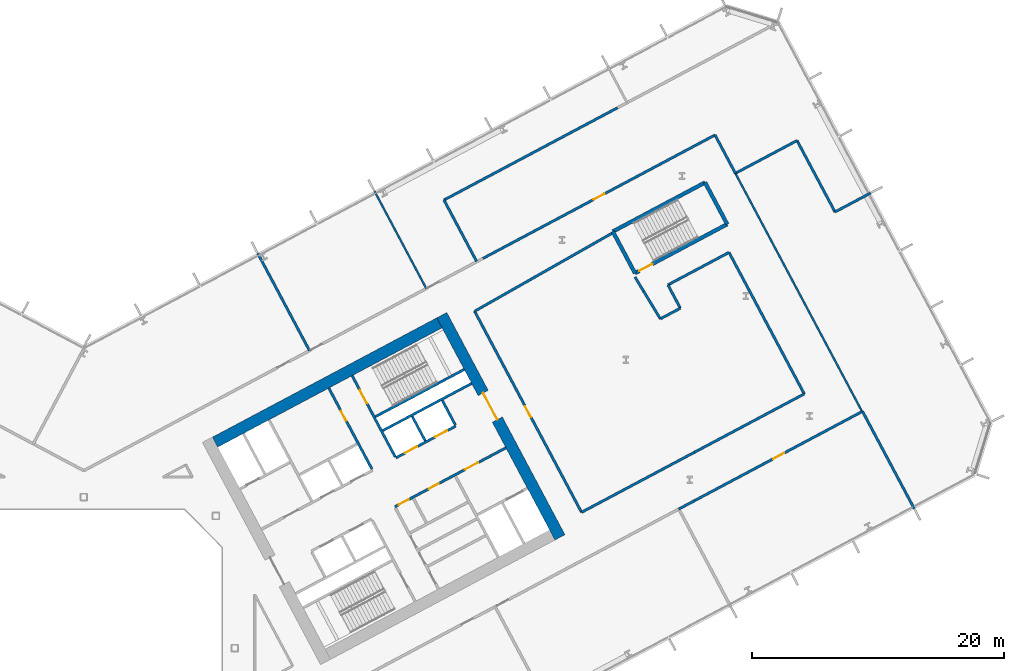
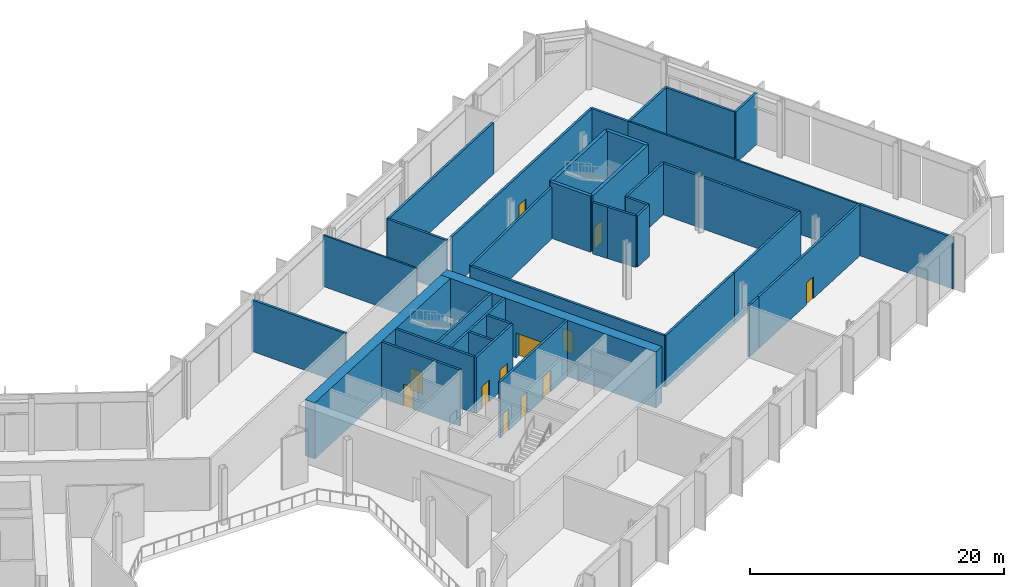
# One storey, part 16 of 30: 37 walls, 12 doors, 12 openings.
"""IFC4 building model written with IfcOpenShell, lengths in metres."""

import ifcopenshell
import ifcopenshell.guid

model = None  # the IFC model being written
_history = None  # IfcOwnerHistory: only IFC2X3 demands one
_inside = {}  # id of a spatial element -> (the spatial element, [elements in it])
_under = {}  # id of a project, library or spatial element -> (it, [spatial elements below it])
_declared = {}  # id of a project -> (the project, [libraries it declares])
_typed = {}  # id of a type object -> (the type object, [elements of that type])
_made_of = {}  # id of a material, layer set ... -> (it, [elements and type objects made of it])


def new_model(schema):
    """Start an empty IFC model of exactly this schema.

    Asked for "IFC4X3", IfcOpenShell would pick the latest addendum, in which some entities
    have other attributes; the version numbers below select the first issue.
    IFC2X3 requires an IfcOwnerHistory on every rooted entity: one is made here for all.
    """
    global model, _history
    if schema == "IFC4X3":
        model = ifcopenshell.file(schema_version=(4, 3, 0, 0))
    else:
        model = ifcopenshell.file(schema=schema)
    _inside.clear()
    _under.clear()
    _declared.clear()
    _typed.clear()
    _made_of.clear()
    _history = None
    if model.schema == "IFC2X3":
        org = make("IfcOrganization", Name="unknown")
        user = make(
            "IfcPersonAndOrganization",
            ThePerson=make("IfcPerson", FamilyName="unknown"),
            TheOrganization=org,
        )
        app = make(
            "IfcApplication",
            ApplicationDeveloper=org,
            Version="unknown",
            ApplicationFullName="unknown",
            ApplicationIdentifier="unknown",
        )
        _history = make(
            "IfcOwnerHistory",
            OwningUser=user,
            OwningApplication=app,
            ChangeAction="ADDED",
            CreationDate=0,
        )
    return model


def make(cls, **values):
    """One entity of the class cls with the attributes given. An attribute that is None is left unset."""
    return model.create_entity(
        cls, **{name: value for name, value in values.items() if value is not None}
    )


def rooted(cls, **values):
    """An entity with a GlobalId (a new one), such as an element, a storey or a relation."""
    return make(cls, GlobalId=ifcopenshell.guid.new(), OwnerHistory=_history, **values)


def si_unit(unit_type, name, prefix=None):
    """IfcSIUnit, for example si_unit("LENGTHUNIT", "METRE", prefix="MILLI")."""
    return make("IfcSIUnit", UnitType=unit_type, Prefix=prefix, Name=name)


def assignment(units):
    """IfcUnitAssignment: the units of a project."""
    return None if units is None else make("IfcUnitAssignment", Units=units)


def point(xyz):
    """IfcCartesianPoint."""
    return None if xyz is None else make("IfcCartesianPoint", Coordinates=xyz)


def direction(xyz):
    """IfcDirection."""
    return None if xyz is None else make("IfcDirection", DirectionRatios=xyz)


def frame(location, z_axis=None, x_axis=None):
    """IfcAxis2Placement3D, a coordinate frame: its origin and axes. An axis left out is left unset."""
    return make(
        "IfcAxis2Placement3D",
        Location=point(location),
        Axis=direction(z_axis),
        RefDirection=direction(x_axis),
    )


def frame_2d(location, x_axis=None):
    """IfcAxis2Placement2D, a coordinate frame in the plane: its origin and x axis."""
    return make(
        "IfcAxis2Placement2D", Location=point(location), RefDirection=direction(x_axis)
    )


def origin():
    """The frame at (0, 0, 0) with its axes left unset."""
    return frame((0.0, 0.0, 0.0))


def place(relative_to, where):
    """IfcLocalPlacement: puts the frame where relative to a parent placement (None: the world)."""
    return make(
        "IfcLocalPlacement", PlacementRelTo=relative_to, RelativePlacement=where
    )


def context(
    kind, dimensions, precision=None, world=None, true_north=None, identifier=None
):
    """IfcGeometricRepresentationContext, for example the 3D "Model" context."""
    return make(
        "IfcGeometricRepresentationContext",
        ContextIdentifier=identifier,
        ContextType=kind,
        CoordinateSpaceDimension=dimensions,
        Precision=precision,
        WorldCoordinateSystem=world,
        TrueNorth=true_north,
    )


def subcontext(parent, identifier, kind, view, scale=None):
    """IfcGeometricRepresentationSubContext, for example "Body" below "Model"."""
    return make(
        "IfcGeometricRepresentationSubContext",
        ContextIdentifier=identifier,
        ContextType=kind,
        ParentContext=parent,
        TargetScale=scale,
        TargetView=view,
    )


def project(units=None, contexts=None):
    """IfcProject with its units and contexts."""
    return rooted(
        "IfcProject",
        Name="project",
        RepresentationContexts=contexts,
        UnitsInContext=assignment(units),
    )


def spatial(cls, under=None, at=None, **own):
    """A site, building, storey or space (cls), placed at a placement, below another one or the project."""
    s = rooted(cls, ObjectPlacement=at, **own)
    if under is not None:
        _under.setdefault(under.id(), (under, []))[1].append(s)
    return s


def profile(cls, at=None, kind="AREA", **sizes):
    """A parametric profile (cls). Its sizes go by their IFC names, for example OverallWidth=200.0."""
    return make(cls, ProfileType=kind, Position=at, **sizes)


def rectangle(**sizes):
    """IfcRectangleProfileDef."""
    return profile("IfcRectangleProfileDef", **sizes)


def extrude(swept, where, along, depth):
    """IfcExtrudedAreaSolid: the profile swept, set in the frame where, extruded along a direction by depth."""
    return make(
        "IfcExtrudedAreaSolid",
        SweptArea=swept,
        Position=where,
        ExtrudedDirection=direction(along),
        Depth=depth,
    )


def shape(context_of_items, identifier, shape_type, items):
    """IfcShapeRepresentation: the items that make up one representation, for example the "Body"."""
    return make(
        "IfcShapeRepresentation",
        ContextOfItems=context_of_items,
        RepresentationIdentifier=identifier,
        RepresentationType=shape_type,
        Items=items,
    )


def material(Name=None, Category=None):
    """IfcMaterial."""
    return make("IfcMaterial", Name=Name, Category=Category)


def layer(
    of_material, thickness, ventilated=None, Name=None, Category=None, Priority=None
):
    """IfcMaterialLayer: one layer of a wall or slab, of a material (None: an air gap)."""
    return make(
        "IfcMaterialLayer",
        Material=of_material,
        LayerThickness=thickness,
        IsVentilated=ventilated,
        Name=Name,
        Category=Category,
        Priority=Priority,
    )


def layer_set(layers, Name=None):
    """IfcMaterialLayerSet."""
    return make("IfcMaterialLayerSet", MaterialLayers=layers, LayerSetName=Name)


def made_of(thing, what):
    """Note that an element or type object is made of a material, layer set ...; save() writes the relation."""
    if what is not None:
        _made_of.setdefault(what.id(), (what, []))[1].append(thing)
    return thing


def type_object(cls, material=None, **own):
    """A type object (cls), such as IfcWallType, which elements share."""
    return made_of(rooted(cls, **own), material)


def element(
    cls,
    number,
    at=None,
    inside=None,
    cuts=None,
    type_object=None,
    material=None,
    context=None,
    identifier="Body",
    shape_type=None,
    held_by="IfcProductDefinitionShape",
    body=None,
    shapes=None,
    **own,
):
    """One element of the class cls, such as IfcWall. Its Tag is "e" and its number.

    at: its placement. inside: the storey or other place that contains it. cuts: it is an
    opening in that element (IfcRelVoidsElement). A single representation is given by context,
    identifier, shape_type and body (its items); several are given by shapes. held_by: the class
    of the entity that holds the representations. save() writes the other relations.
    """
    e = rooted(cls, Tag="e%d" % number, ObjectPlacement=at, **own)
    if body is not None:
        shapes = [shape(context, identifier, shape_type, body)]
    if shapes is not None:
        e.Representation = make(held_by, Representations=shapes)
    if inside is not None:
        _inside.setdefault(inside.id(), (inside, []))[1].append(e)
    if cuts is not None:
        rooted(
            "IfcRelVoidsElement", RelatingBuildingElement=cuts, RelatedOpeningElement=e
        )
    if type_object is not None:
        _typed.setdefault(type_object.id(), (type_object, []))[1].append(e)
    return made_of(e, material)


def fill(opening, filler):
    """IfcRelFillsElement: the door or window that sits in an opening."""
    return rooted(
        "IfcRelFillsElement",
        RelatingOpeningElement=opening,
        RelatedBuildingElement=filler,
    )


def aggregate(whole, parts):
    """IfcRelAggregates: a whole, such as a stair, and the parts it consists of."""
    return rooted("IfcRelAggregates", RelatingObject=whole, RelatedObjects=parts)


def save(model, path):
    """Write the relations noted so far, then the file.

    IfcRelAggregates (storeys below a building ...), IfcRelContainedInSpatialStructure (elements
    in a storey), IfcRelDefinesByType, IfcRelAssociatesMaterial and IfcRelDeclares: one each for
    every whole, place, type object, material and project.
    """
    for whole, parts in _under.values():
        aggregate(whole, parts)
    for where, things in _inside.values():
        rooted(
            "IfcRelContainedInSpatialStructure",
            RelatedElements=things,
            RelatingStructure=where,
        )
    for kind, things in _typed.values():
        rooted("IfcRelDefinesByType", RelatedObjects=things, RelatingType=kind)
    for what, things in _made_of.values():
        rooted("IfcRelAssociatesMaterial", RelatedObjects=things, RelatingMaterial=what)
    for by, libraries in _declared.values():
        rooted("IfcRelDeclares", RelatingContext=by, RelatedDefinitions=libraries)
    model.write(path)


model = new_model("IFC4")

# Units and contexts
model_context = context("Model", 3, precision=1e-05, world=origin(), true_north=direction((0.0, 1.0)))
body_context = subcontext(model_context, "Body", "Model", "MODEL_VIEW")
ifc_project = project(units=[si_unit("LENGTHUNIT", "METRE"), si_unit("AREAUNIT", "SQUARE_METRE"), si_unit("VOLUMEUNIT", "CUBIC_METRE"), si_unit("PLANEANGLEUNIT", "RADIAN"), si_unit("MASSUNIT", "GRAM", prefix="KILO")], contexts=[model_context])

# Site, building, storey
site_placement = place(None, origin())
site = spatial("IfcSite", under=ifc_project, at=site_placement, CompositionType="ELEMENT")
building_placement = place(site_placement, origin())
building = spatial("IfcBuilding", under=site, at=building_placement, Name="Cormorant Relay Tower", CompositionType="ELEMENT")
storey_placement = place(building_placement, frame((0.0, 0.0, 55.39990234375)))
storey = spatial("IfcBuildingStorey", under=building, at=storey_placement, Name="L10", CompositionType="ELEMENT", Elevation=55.39990234375)

# Wall
ifc_material_1 = material(Name="Concrete 40 MPa", Category="concrete")
ifc_layer_1 = layer(ifc_material_1, 0.199951171875)
ifc_layer_set_1 = layer_set([ifc_layer_1], Name="Core internal wall 200")
wall_type_1 = type_object("IfcWallType", Name="Core internal wall 200", PredefinedType="SOLIDWALL", material=ifc_layer_set_1)
wall_1_placement = place(storey_placement, frame((27.144287109375, 16.471435546875, 0.0), z_axis=(0.0, 0.0, 1.0), x_axis=(-0.469401318492, 0.882984938828, 0.0)))
element("IfcWall", 1, at=wall_1_placement, inside=storey, type_object=wall_type_1, Name="L10 core B shaft and room wall", PredefinedType="SOLIDWALL", context=body_context, shape_type="SweptSolid", body=[
    extrude(rectangle(XDim=2.199951171875, YDim=0.199951171875, at=frame_2d((1.10009765625, 0.0))), origin(), (0.0, 0.0, 1.0), 5.400146484375),
])

# Wall, opening, door
ifc_material_2 = material(Name="Concrete 50 MPa", Category="concrete")
ifc_layer_2 = layer(ifc_material_2, 0.199951171875)
ifc_layer_set_2 = layer_set([ifc_layer_2], Name="Core shaft wall 200")
wall_type_2 = type_object("IfcWallType", Name="Core shaft wall 200", PredefinedType="SHEAR", material=ifc_layer_set_2)
wall_2_placement = place(storey_placement, frame((22.90625, 14.218017578125, 0.0), z_axis=(0.0, 0.0, 1.0), x_axis=(-0.469480409012, 0.88294288918, 0.0)))
wall_2 = element("IfcWall", 2, at=wall_2_placement, inside=storey, type_object=wall_type_2, Name="L10 core B shaft wall", PredefinedType="SHEAR", context=body_context, shape_type="SweptSolid", body=[
    extrude(rectangle(XDim=7.300048828125, YDim=0.199951171875, at=frame_2d((3.64990234375, 0.0))), origin(), (0.0, 0.0, 1.0), 5.400146484375),
])
opening_1_placement = place(wall_2_placement, frame((4.35009765625, 0.0, 0.0)))
opening_1 = element("IfcOpeningElement", 3, at=opening_1_placement, cuts=wall_2, Name="Opening CDD-097", PredefinedType="OPENING", context=body_context, shape_type="SweptSolid", body=[
    extrude(rectangle(XDim=0.89990234375, YDim=2.10009765625, at=frame_2d((0.449951171875, 1.050048828125))), frame((0.0, 0.10986328125, 0.0), z_axis=(0.0, -1.0, 0.0), x_axis=(1.0, 0.0, 0.0)), (0.0, 0.0, 1.0), 0.219970703125),
])
ifc_material_3 = material(Name="Steel fire door", Category="steel")
door_type_1 = type_object("IfcDoorType", Name="Core room door 900x2100", OperationType="SINGLE_SWING_LEFT", PredefinedType="DOOR", material=ifc_material_3)
door_1_placement = place(opening_1_placement, origin())
door_1 = element("IfcDoor", 4, at=door_1_placement, inside=storey, type_object=door_type_1, Name="Core room door 900x2100", OperationType="SINGLE_SWING_LEFT", OverallHeight=2.10009765625, OverallWidth=0.89990234375, PredefinedType="DOOR", context=body_context, shape_type="SweptSolid", body=[
    extrude(rectangle(XDim=0.89990234375, YDim=2.10009765625, at=frame_2d((0.449951171875, 1.050048828125))), frame((0.0, 0.02490234375, 0.0), z_axis=(0.0, -1.0, 0.0), x_axis=(1.0, 0.0, 0.0)), (0.0, 0.0, 1.0), 0.050048828125),
])
fill(opening_1, door_1)

wall_3_placement = place(storey_placement, frame((24.760498046875, 15.2041015625, 0.0), z_axis=(0.0, 0.0, 1.0), x_axis=(-0.469494272526, 0.882935517501, 0.0)))
wall_3 = element("IfcWall", 5, at=wall_3_placement, inside=storey, type_object=wall_type_2, Name="L10 core B shaft wall", PredefinedType="SHEAR", context=body_context, shape_type="SweptSolid", body=[
    extrude(rectangle(XDim=7.2998046875, YDim=0.199951171875, at=frame_2d((3.64990234375, 0.0))), origin(), (0.0, 0.0, 1.0), 5.400146484375),
])
opening_2_placement = place(wall_3_placement, frame((4.800048828125, 0.0, 0.0)))
opening_2 = element("IfcOpeningElement", 6, at=opening_2_placement, cuts=wall_3, Name="Opening CDB-022", PredefinedType="OPENING", context=body_context, shape_type="SweptSolid", body=[
    extrude(rectangle(XDim=1.199951171875, YDim=2.10009765625, at=frame_2d((0.60009765625, 1.050048828125))), frame((0.0, 0.10986328125, 0.0), z_axis=(0.0, -1.0, 0.0), x_axis=(1.0, 0.0, 0.0)), (0.0, 0.0, 1.0), 0.219970703125),
])
ifc_material_4 = material(Name="Steel fire door", Category="steel")
door_type_2 = type_object("IfcDoorType", Name="Core stair door 1200x2100", OperationType="SINGLE_SWING_LEFT", PredefinedType="DOOR", material=ifc_material_4)
door_2_placement = place(opening_2_placement, frame((1.199951171875, 0.0, 0.0), z_axis=(0.0, 0.0, 1.0), x_axis=(-1.0, 0.0, 0.0)))
door_2 = element("IfcDoor", 7, at=door_2_placement, inside=storey, type_object=door_type_2, Name="Core stair door 1200x2100", OperationType="SINGLE_SWING_RIGHT", OverallHeight=2.10009765625, OverallWidth=1.199951171875, PredefinedType="DOOR", context=body_context, shape_type="SweptSolid", body=[
    extrude(rectangle(XDim=1.199951171875, YDim=2.10009765625, at=frame_2d((0.60009765625, 1.050048828125))), frame((0.0, 0.02490234375, 0.0), z_axis=(0.0, -1.0, 0.0), x_axis=(1.0, 0.0, 0.0)), (0.0, 0.0, 1.0), 0.050048828125),
])
fill(opening_2, door_2)

# Wall
wall_4_placement = place(storey_placement, frame((29.5283203125, 17.739013671875, 0.0), z_axis=(0.0, 0.0, 1.0), x_axis=(-0.469401318492, 0.882984938828, 0.0)))
element("IfcWall", 8, at=wall_4_placement, inside=storey, type_object=wall_type_2, Name="L10 core B shaft wall", PredefinedType="SHEAR", context=body_context, shape_type="SweptSolid", body=[
    extrude(rectangle(XDim=2.199951171875, YDim=0.199951171875, at=frame_2d((1.10009765625, 0.0))), origin(), (0.0, 0.0, 1.0), 5.400146484375),
])

# Wall, openings, doors
wall_5_placement = place(storey_placement, frame((24.72607421875, 11.2216796875, 0.0), z_axis=(0.0, 0.0, 1.0), x_axis=(0.882940221191, 0.469485426614, 0.0)))
wall_5 = element("IfcWall", 9, at=wall_5_placement, inside=storey, type_object=wall_type_2, Name="L10 core B shaft wall", PredefinedType="SHEAR", context=body_context, shape_type="SweptSolid", body=[
    extrude(rectangle(XDim=10.0, YDim=0.199951171875, at=frame_2d((5.0, 0.0))), origin(), (0.0, 0.0, 1.0), 5.400146484375),
])
opening_3_placement = place(wall_5_placement, frame((6.300048828125, 0.0, 0.0)))
opening_3 = element("IfcOpeningElement", 10, at=opening_3_placement, cuts=wall_5, Name="Opening CDC-016", PredefinedType="OPENING", context=body_context, shape_type="SweptSolid", body=[
    extrude(rectangle(XDim=1.199951171875, YDim=2.10009765625, at=frame_2d((0.60009765625, 1.050048828125))), frame((0.0, 0.10986328125, 0.0), z_axis=(0.0, -1.0, 0.0), x_axis=(1.0, 0.0, 0.0)), (0.0, 0.0, 1.0), 0.219970703125),
])
opening_4_placement = place(wall_5_placement, frame((0.360107421875, 0.0, 0.0)))
opening_4 = element("IfcOpeningElement", 11, at=opening_4_placement, cuts=wall_5, Name="Opening CDD-074", PredefinedType="OPENING", context=body_context, shape_type="SweptSolid", body=[
    extrude(rectangle(XDim=0.89990234375, YDim=2.10009765625, at=frame_2d((0.449951171875, 1.050048828125))), frame((0.0, 0.10986328125, 0.0), z_axis=(0.0, -1.0, 0.0), x_axis=(1.0, 0.0, 0.0)), (0.0, 0.0, 1.0), 0.219970703125),
])
opening_5_placement = place(wall_5_placement, frame((3.06005859375, 0.0, 0.0)))
opening_5 = element("IfcOpeningElement", 12, at=opening_5_placement, cuts=wall_5, Name="Opening CDD-075", PredefinedType="OPENING", context=body_context, shape_type="SweptSolid", body=[
    extrude(rectangle(XDim=0.89990234375, YDim=2.10009765625, at=frame_2d((0.449951171875, 1.050048828125))), frame((0.0, 0.10986328125, 0.0), z_axis=(0.0, -1.0, 0.0), x_axis=(1.0, 0.0, 0.0)), (0.0, 0.0, 1.0), 0.219970703125),
])
ifc_material_5 = material(Name="Steel fire door", Category="steel")
door_type_3 = type_object("IfcDoorType", Name="Core lobby door 1200x2100", OperationType="SINGLE_SWING_LEFT", PredefinedType="DOOR", material=ifc_material_5)
door_3_placement = place(opening_3_placement, frame((1.199951171875, 0.0, 0.0), z_axis=(0.0, 0.0, 1.0), x_axis=(-1.0, 0.0, 0.0)))
door_3 = element("IfcDoor", 13, at=door_3_placement, inside=storey, type_object=door_type_3, Name="Core lobby door 1200x2100", OperationType="SINGLE_SWING_RIGHT", OverallHeight=2.10009765625, OverallWidth=1.199951171875, PredefinedType="DOOR", context=body_context, shape_type="SweptSolid", body=[
    extrude(rectangle(XDim=1.199951171875, YDim=2.10009765625, at=frame_2d((0.60009765625, 1.050048828125))), frame((0.0, 0.02490234375, 0.0), z_axis=(0.0, -1.0, 0.0), x_axis=(1.0, 0.0, 0.0)), (0.0, 0.0, 1.0), 0.050048828125),
])
fill(opening_3, door_3)
door_4_placement = place(opening_4_placement, frame((0.89990234375, 0.0, 0.0), z_axis=(0.0, 0.0, 1.0), x_axis=(-1.0, 0.0, 0.0)))
door_4 = element("IfcDoor", 14, at=door_4_placement, inside=storey, type_object=door_type_1, Name="Core room door 900x2100", OperationType="SINGLE_SWING_RIGHT", OverallHeight=2.10009765625, OverallWidth=0.89990234375, PredefinedType="DOOR", context=body_context, shape_type="SweptSolid", body=[
    extrude(rectangle(XDim=0.89990234375, YDim=2.10009765625, at=frame_2d((0.449951171875, 1.050048828125))), frame((0.0, 0.02490234375, 0.0), z_axis=(0.0, -1.0, 0.0), x_axis=(1.0, 0.0, 0.0)), (0.0, 0.0, 1.0), 0.050048828125),
])
fill(opening_4, door_4)
door_5_placement = place(opening_5_placement, frame((0.89990234375, 0.0, 0.0), z_axis=(0.0, 0.0, 1.0), x_axis=(-1.0, 0.0, 0.0)))
door_5 = element("IfcDoor", 15, at=door_5_placement, inside=storey, type_object=door_type_1, Name="Core room door 900x2100", OperationType="SINGLE_SWING_RIGHT", OverallHeight=2.10009765625, OverallWidth=0.89990234375, PredefinedType="DOOR", context=body_context, shape_type="SweptSolid", body=[
    extrude(rectangle(XDim=0.89990234375, YDim=2.10009765625, at=frame_2d((0.449951171875, 1.050048828125))), frame((0.0, 0.02490234375, 0.0), z_axis=(0.0, -1.0, 0.0), x_axis=(1.0, 0.0, 0.0)), (0.0, 0.0, 1.0), 0.050048828125),
])
fill(opening_5, door_5)

wall_6_placement = place(storey_placement, frame((24.807373046875, 15.11572265625, 0.0), z_axis=(0.0, 0.0, 1.0), x_axis=(0.882942972946, 0.469480251476, 0.0)))
wall_6 = element("IfcWall", 16, at=wall_6_placement, inside=storey, type_object=wall_type_2, Name="L10 core B shaft wall", PredefinedType="SHEAR", context=body_context, shape_type="SweptSolid", body=[
    extrude(rectangle(XDim=5.39990234375, YDim=0.199951171875, at=frame_2d((2.699951171875, 0.0))), origin(), (0.0, 0.0, 1.0), 5.400146484375),
])
opening_6_placement = place(wall_6_placement, frame((0.800048828125, 0.0, 0.0)))
opening_6 = element("IfcOpeningElement", 17, at=opening_6_placement, cuts=wall_6, Name="Opening LD1-022", PredefinedType="OPENING", context=body_context, shape_type="SweptSolid", body=[
    extrude(rectangle(XDim=1.10009765625, YDim=2.10009765625, at=frame_2d((0.550048828125, 1.050048828125))), frame((0.0, 0.10986328125, 0.0), z_axis=(0.0, -1.0, 0.0), x_axis=(1.0, 0.0, 0.0)), (0.0, 0.0, 1.0), 0.219970703125),
])
opening_7_placement = place(wall_6_placement, frame((3.5, 0.0, 0.0)))
opening_7 = element("IfcOpeningElement", 18, at=opening_7_placement, cuts=wall_6, Name="Opening LD1-023", PredefinedType="OPENING", context=body_context, shape_type="SweptSolid", body=[
    extrude(rectangle(XDim=1.10009765625, YDim=2.10009765625, at=frame_2d((0.550048828125, 1.050048828125))), frame((0.0, 0.10986328125, 0.0), z_axis=(0.0, -1.0, 0.0), x_axis=(1.0, 0.0, 0.0)), (0.0, 0.0, 1.0), 0.219970703125),
])
ifc_material_6 = material(Name="Stainless steel 316", Category="steel")
door_type_4 = type_object("IfcDoorType", Name="Lift landing door 1100x2100", OperationType="DOUBLE_DOOR_SLIDING", PredefinedType="DOOR", material=ifc_material_6)
door_6_placement = place(opening_6_placement, origin())
door_6 = element("IfcDoor", 19, at=door_6_placement, inside=storey, type_object=door_type_4, Name="LR3 landing door", OperationType="DOUBLE_DOOR_SLIDING", OverallHeight=2.10009765625, OverallWidth=1.10009765625, PredefinedType="DOOR", context=body_context, shape_type="SweptSolid", body=[
    extrude(rectangle(XDim=1.10009765625, YDim=2.10009765625, at=frame_2d((0.550048828125, 1.050048828125))), frame((0.0, 0.02490234375, 0.0), z_axis=(0.0, -1.0, 0.0), x_axis=(1.0, 0.0, 0.0)), (0.0, 0.0, 1.0), 0.050048828125),
])
fill(opening_6, door_6)
door_7_placement = place(opening_7_placement, origin())
door_7 = element("IfcDoor", 20, at=door_7_placement, inside=storey, type_object=door_type_4, Name="LR4 landing door", OperationType="DOUBLE_DOOR_SLIDING", OverallHeight=2.10009765625, OverallWidth=1.10009765625, PredefinedType="DOOR", context=body_context, shape_type="SweptSolid", body=[
    extrude(rectangle(XDim=1.10009765625, YDim=2.10009765625, at=frame_2d((0.550048828125, 1.050048828125))), frame((0.0, 0.02490234375, 0.0), z_axis=(0.0, -1.0, 0.0), x_axis=(1.0, 0.0, 0.0)), (0.0, 0.0, 1.0), 0.050048828125),
])
fill(opening_7, door_7)

# Walls
wall_7_placement = place(storey_placement, frame((23.76904296875, 17.28173828125, 0.0), z_axis=(0.0, 0.0, 1.0), x_axis=(0.882940221191, 0.469485426614, 0.0)))
element("IfcWall", 21, at=wall_7_placement, inside=storey, type_object=wall_type_2, Name="L10 core B shaft wall", PredefinedType="SHEAR", context=body_context, shape_type="SweptSolid", body=[
    extrude(rectangle(XDim=8.0, YDim=0.199951171875, at=frame_2d((4.0, 0.0))), origin(), (0.0, 0.0, 1.0), 5.400146484375),
])
wall_8_placement = place(storey_placement, frame((23.18212890625, 18.385498046875, 0.0), z_axis=(0.0, 0.0, 1.0), x_axis=(0.88295287151, 0.469461634952, 0.0)))
element("IfcWall", 22, at=wall_8_placement, inside=storey, type_object=wall_type_2, Name="L10 core B shaft wall", PredefinedType="SHEAR", context=body_context, shape_type="SweptSolid", body=[
    extrude(rectangle(XDim=7.999755859375, YDim=0.199951171875, at=frame_2d((4.0, 0.0))), origin(), (0.0, 0.0, 1.0), 5.400146484375),
])

# Wall, opening, door
ifc_material_7 = material(Name="Concrete 70 MPa", Category="concrete")
ifc_layer_3 = layer(ifc_material_7, 0.89990234375)
ifc_layer_set_3 = layer_set([ifc_layer_3], Name="Core wall 900")
wall_type_3 = type_object("IfcWallType", Name="Core wall 900", PredefinedType="SHEAR", material=ifc_layer_set_3)
wall_9_placement = place(storey_placement, frame((37.849365234375, 8.799072265625, 0.0), z_axis=(0.0, 0.0, 1.0), x_axis=(-0.469465789982, 0.882950662289, 0.0)))
wall_9 = element("IfcWall", 23, at=wall_9_placement, inside=storey, type_object=wall_type_3, Name="L10 core B wall", PredefinedType="SHEAR", context=body_context, shape_type="SweptSolid", body=[
    extrude(rectangle(XDim=20.000244140625, YDim=0.89990234375, at=frame_2d((10.0, 0.0))), origin(), (0.0, 0.0, 1.0), 5.400146484375),
])
opening_8_placement = place(wall_9_placement, frame((10.60009765625, 0.0, 0.0)))
opening_8 = element("IfcOpeningElement", 24, at=opening_8_placement, cuts=wall_9, Name="Opening CDA-016", PredefinedType="OPENING", context=body_context, shape_type="SweptSolid", body=[
    extrude(rectangle(XDim=2.39990234375, YDim=2.39990234375, at=frame_2d((1.199951171875, 1.199951171875))), frame((0.0, 0.4599609375, 0.0), z_axis=(0.0, -1.0, 0.0), x_axis=(1.0, 0.0, 0.0)), (0.0, 0.0, 1.0), 0.919921875),
])
ifc_material_8 = material(Name="Steel fire door", Category="steel")
door_type_5 = type_object("IfcDoorType", Name="Core lobby door 2400x2400", OperationType="DOUBLE_DOOR_SINGLE_SWING", PredefinedType="DOOR", material=ifc_material_8)
door_8_placement = place(opening_8_placement, origin())
door_8 = element("IfcDoor", 25, at=door_8_placement, inside=storey, type_object=door_type_5, Name="Core lobby door 2400x2400", OperationType="DOUBLE_DOOR_SINGLE_SWING", OverallHeight=2.39990234375, OverallWidth=2.39990234375, PredefinedType="DOOR", context=body_context, shape_type="SweptSolid", body=[
    extrude(rectangle(XDim=2.39990234375, YDim=2.39990234375, at=frame_2d((1.199951171875, 1.199951171875))), frame((0.0, 0.02490234375, 0.0), z_axis=(0.0, -1.0, 0.0), x_axis=(1.0, 0.0, 0.0)), (0.0, 0.0, 1.0), 0.050048828125),
])
fill(opening_8, door_8)

# Walls
wall_10_placement = place(storey_placement, frame((10.4384765625, 16.3662109375, 0.0), z_axis=(0.0, 0.0, 1.0), x_axis=(0.88294509198, 0.469476266226, 0.0)))
element("IfcWall", 26, at=wall_10_placement, inside=storey, type_object=wall_type_3, Name="L10 core B wall", PredefinedType="SHEAR", context=body_context, shape_type="SweptSolid", body=[
    extrude(rectangle(XDim=20.199951171875, YDim=0.89990234375, at=frame_2d((10.10009765625, 0.0))), origin(), (0.0, 0.0, 1.0), 5.400146484375),
])
ifc_material_9 = material(Name="Fire-rated gypsum board partition")
ifc_layer_4 = layer(ifc_material_9, 0.199951171875)
ifc_layer_set_4 = layer_set([ifc_layer_4], Name="Fire-rated gypsum partition 200")
wall_type_4 = type_object("IfcWallType", Name="Fire-rated gypsum partition 200", PredefinedType="PARTITIONING", material=ifc_layer_set_4)
wall_11_placement = place(storey_placement, frame((13.833984375, 31.365966796875, 0.0), z_axis=(0.0, 0.0, 1.0), x_axis=(0.469374180568, -0.882999365014, 0.0)))
element("IfcWall", 27, at=wall_11_placement, inside=storey, type_object=wall_type_4, Name="wall/L10/part/51", PredefinedType="PARTITIONING", context=body_context, shape_type="SweptSolid", body=[
    extrude(rectangle(XDim=8.749755859375, YDim=0.199951171875, at=frame_2d((4.375, 0.0))), origin(), (0.0, 0.0, 1.0), 4.9501953125),
])
wall_12_placement = place(storey_placement, frame((31.22998046875, 30.72607421875, 0.0), z_axis=(0.0, 0.0, 1.0), x_axis=(-0.469403649121, 0.882983699845, 0.0)))
element("IfcWall", 28, at=wall_12_placement, inside=storey, type_object=wall_type_4, Name="wall/L10/part/60", PredefinedType="PARTITIONING", context=body_context, shape_type="SweptSolid", body=[
    extrude(rectangle(XDim=5.532470703125, YDim=0.199951171875, at=frame_2d((2.76611328125, 0.0))), origin(), (0.0, 0.0, 1.0), 4.9501953125),
])
wall_13_placement = place(storey_placement, frame((28.633056640625, 35.611083984375, 0.0), z_axis=(0.0, 0.0, 1.0), x_axis=(0.882944068981, 0.469478190176, 0.0)))
element("IfcWall", 29, at=wall_13_placement, inside=storey, type_object=wall_type_4, Name="wall/L10/part/61", PredefinedType="PARTITIONING", context=body_context, shape_type="SweptSolid", body=[
    extrude(rectangle(XDim=15.62158203125, YDim=0.199951171875, at=frame_2d((7.810791015625, 0.0))), origin(), (0.0, 0.0, 1.0), 4.9501953125),
])

# Wall, opening, door
wall_14_placement = place(storey_placement, frame((31.73095703125, 30.971923828125, 0.0), z_axis=(0.0, 0.0, 1.0), x_axis=(0.88293515824, 0.469494948156, 0.0)))
wall_14 = element("IfcWall", 30, at=wall_14_placement, inside=storey, type_object=wall_type_4, Name="wall/L10/part/62", PredefinedType="PARTITIONING", context=body_context, shape_type="SweptSolid", body=[
    extrude(rectangle(XDim=20.892822265625, YDim=0.199951171875, at=frame_2d((10.4462890625, 0.0))), origin(), (0.0, 0.0, 1.0), 4.9501953125),
])
opening_9_placement = place(wall_14_placement, frame((9.949951171875, 0.0, 0.0)))
opening_9 = element("IfcOpeningElement", 31, at=opening_9_placement, cuts=wall_14, Name="Opening FD1-057", PredefinedType="OPENING", context=body_context, shape_type="SweptSolid", body=[
    extrude(rectangle(XDim=1.0, YDim=2.10009765625, at=frame_2d((0.5, 1.050048828125))), frame((0.0, 0.10986328125, 0.0), z_axis=(0.0, -1.0, 0.0), x_axis=(1.0, 0.0, 0.0)), (0.0, 0.0, 1.0), 0.219970703125),
])
ifc_material_10 = material(Name="Fire-rated steel door", Category="steel")
door_type_6 = type_object("IfcDoorType", Name="Fire door 1000 x 2100", OperationType="SINGLE_SWING_LEFT", PredefinedType="DOOR", material=ifc_material_10)
door_9_placement = place(opening_9_placement, origin())
door_9 = element("IfcDoor", 32, at=door_9_placement, inside=storey, type_object=door_type_6, Name="door/L10/7", OperationType="SINGLE_SWING_LEFT", OverallHeight=2.10009765625, OverallWidth=1.0, PredefinedType="DOOR", context=body_context, shape_type="SweptSolid", body=[
    extrude(rectangle(XDim=1.0, YDim=2.10009765625, at=frame_2d((0.5, 1.050048828125))), frame((0.0, 0.02490234375, 0.0), z_axis=(0.0, -1.0, 0.0), x_axis=(1.0, 0.0, 0.0)), (0.0, 0.0, 1.0), 0.050048828125),
])
fill(opening_9, door_9)

# Walls
wall_15_placement = place(storey_placement, frame((50.177978515625, 40.781005859375, 0.0), z_axis=(0.0, 0.0, 1.0), x_axis=(0.469355564401, -0.883009260521, 0.0)))
element("IfcWall", 33, at=wall_15_placement, inside=storey, type_object=wall_type_4, Name="wall/L10/part/63", PredefinedType="PARTITIONING", context=body_context, shape_type="SweptSolid", body=[
    extrude(rectangle(XDim=3.445068359375, YDim=0.199951171875, at=frame_2d((1.72265625, 0.0))), origin(), (0.0, 0.0, 1.0), 4.9501953125),
])
wall_16_placement = place(storey_placement, frame((48.541015625, 15.56005859375, 0.0), z_axis=(0.0, 0.0, 1.0), x_axis=(-0.882933406877, -0.469498241765, 0.0)))
element("IfcWall", 34, at=wall_16_placement, inside=storey, type_object=wall_type_4, Name="wall/L10/part/66", PredefinedType="PARTITIONING", context=body_context, shape_type="SweptSolid", body=[
    extrude(rectangle(XDim=10.1640625, YDim=0.199951171875, at=frame_2d((5.08203125, 0.0))), origin(), (0.0, 0.0, 1.0), 4.9501953125),
])

# Wall, opening, door
wall_17_placement = place(storey_placement, frame((39.56689453125, 10.7880859375, 0.0), z_axis=(0.0, 0.0, 1.0), x_axis=(-0.469474056812, 0.882946266757, 0.0)))
wall_17 = element("IfcWall", 35, at=wall_17_placement, inside=storey, type_object=wall_type_4, Name="wall/L10/part/67", PredefinedType="PARTITIONING", context=body_context, shape_type="SweptSolid", body=[
    extrude(rectangle(XDim=18.1005859375, YDim=0.199951171875, at=frame_2d((9.05029296875, 0.0))), origin(), (0.0, 0.0, 1.0), 4.9501953125),
])
opening_10_placement = place(wall_17_placement, frame((8.550048828125, 0.0, 0.0)))
opening_10 = element("IfcOpeningElement", 36, at=opening_10_placement, cuts=wall_17, Name="Opening FD1-053", PredefinedType="OPENING", context=body_context, shape_type="SweptSolid", body=[
    extrude(rectangle(XDim=1.0, YDim=2.10009765625, at=frame_2d((0.5, 1.050048828125))), frame((0.0, 0.10986328125, 0.0), z_axis=(0.0, -1.0, 0.0), x_axis=(1.0, 0.0, 0.0)), (0.0, 0.0, 1.0), 0.219970703125),
])
door_10_placement = place(opening_10_placement, origin())
door_10 = element("IfcDoor", 37, at=door_10_placement, inside=storey, type_object=door_type_6, Name="door/L10/21", OperationType="SINGLE_SWING_RIGHT", OverallHeight=2.10009765625, OverallWidth=1.0, PredefinedType="DOOR", context=body_context, shape_type="SweptSolid", body=[
    extrude(rectangle(XDim=1.0, YDim=2.10009765625, at=frame_2d((0.5, 1.050048828125))), frame((0.0, 0.02490234375, 0.0), z_axis=(0.0, -1.0, 0.0), x_axis=(1.0, 0.0, 0.0)), (0.0, 0.0, 1.0), 0.050048828125),
])
fill(opening_10, door_10)

# Walls
wall_18_placement = place(storey_placement, frame((31.069091796875, 26.77001953125, 0.0), z_axis=(0.0, 0.0, 1.0), x_axis=(0.86954617394, 0.493851649168, 0.0)))
element("IfcWall", 38, at=wall_18_placement, inside=storey, type_object=wall_type_4, Name="wall/L10/part/68", PredefinedType="PARTITIONING", context=body_context, shape_type="SweptSolid", body=[
    extrude(rectangle(XDim=12.55029296875, YDim=0.199951171875, at=frame_2d((6.275146484375, 0.0))), origin(), (0.0, 0.0, 1.0), 4.9501953125),
])
wall_19_placement = place(storey_placement, frame((43.81591796875, 29.490966796875, 0.0), z_axis=(0.0, 0.0, 1.0), x_axis=(0.518473208291, -0.855093873376, 0.0)))
element("IfcWall", 39, at=wall_19_placement, inside=storey, type_object=wall_type_4, Name="wall/L10/part/71", PredefinedType="PARTITIONING", context=body_context, shape_type="SweptSolid", body=[
    extrude(rectangle(XDim=1.324951171875, YDim=0.199951171875, at=frame_2d((0.66259765625, 0.0))), origin(), (0.0, 0.0, 1.0), 4.9501953125),
])
wall_20_placement = place(storey_placement, frame((45.8310546875, 26.1669921875, 0.0), z_axis=(0.0, 0.0, 1.0), x_axis=(-0.518386189645, 0.855146629757, 0.0)))
element("IfcWall", 40, at=wall_20_placement, inside=storey, type_object=wall_type_4, Name="wall/L10/part/72", PredefinedType="PARTITIONING", context=body_context, shape_type="SweptSolid", body=[
    extrude(rectangle(XDim=2.56201171875, YDim=0.199951171875, at=frame_2d((1.281005859375, 0.0))), origin(), (0.0, 0.0, 1.0), 4.9501953125),
])
wall_21_placement = place(storey_placement, frame((47.419921875, 27.011962890625, 0.0), z_axis=(0.0, 0.0, 1.0), x_axis=(-0.882911879422, -0.469538723829, 0.0)))
element("IfcWall", 41, at=wall_21_placement, inside=storey, type_object=wall_type_4, Name="wall/L10/part/73", PredefinedType="PARTITIONING", context=body_context, shape_type="SweptSolid", body=[
    extrude(rectangle(XDim=1.799560546875, YDim=0.199951171875, at=frame_2d((0.89990234375, 0.0))), origin(), (0.0, 0.0, 1.0), 4.9501953125),
])
wall_22_placement = place(storey_placement, frame((46.43408203125, 28.865966796875, 0.0), z_axis=(0.0, 0.0, 1.0), x_axis=(0.882942083458, 0.469481924316, 0.0)))
element("IfcWall", 42, at=wall_22_placement, inside=storey, type_object=wall_type_4, Name="wall/L10/part/74", PredefinedType="PARTITIONING", context=body_context, shape_type="SweptSolid", body=[
    extrude(rectangle(XDim=5.499755859375, YDim=0.199951171875, at=frame_2d((2.75, 0.0))), origin(), (0.0, 0.0, 1.0), 4.9501953125),
])
wall_23_placement = place(storey_placement, frame((51.2900390625, 31.447998046875, 0.0), z_axis=(0.0, 0.0, 1.0), x_axis=(0.469459757109, -0.882953869947, 0.0)))
element("IfcWall", 43, at=wall_23_placement, inside=storey, type_object=wall_type_4, Name="wall/L10/part/75", PredefinedType="PARTITIONING", context=body_context, shape_type="SweptSolid", body=[
    extrude(rectangle(XDim=12.738037109375, YDim=0.199951171875, at=frame_2d((6.369140625, 0.0))), origin(), (0.0, 0.0, 1.0), 4.9501953125),
])
wall_24_placement = place(storey_placement, frame((57.27001953125, 20.200927734375, 0.0), z_axis=(0.0, 0.0, 1.0), x_axis=(-0.882965394181, -0.469438081837, 0.0)))
element("IfcWall", 44, at=wall_24_placement, inside=storey, type_object=wall_type_4, Name="wall/L10/part/76", PredefinedType="PARTITIONING", context=body_context, shape_type="SweptSolid", body=[
    extrude(rectangle(XDim=9.885986328125, YDim=0.199951171875, at=frame_2d((4.94287109375, 0.0))), origin(), (0.0, 0.0, 1.0), 4.9501953125),
])
wall_25_placement = place(storey_placement, frame((47.419921875, 27.011962890625, 0.0), z_axis=(0.0, 0.0, 1.0), x_axis=(-0.469489562011, 0.882938022266, 0.0)))
element("IfcWall", 45, at=wall_25_placement, inside=storey, type_object=wall_type_4, Name="wall/L10/part/77", PredefinedType="PARTITIONING", context=body_context, shape_type="SweptSolid", body=[
    extrude(rectangle(XDim=2.099853515625, YDim=0.199951171875, at=frame_2d((1.0498046875, 0.0))), origin(), (0.0, 0.0, 1.0), 4.9501953125),
])
wall_26_placement = place(storey_placement, frame((48.575927734375, 11.72802734375, 0.0), z_axis=(0.0, 0.0, 1.0), x_axis=(-0.882918621496, -0.469526045939, 0.0)))
element("IfcWall", 46, at=wall_26_placement, inside=storey, type_object=wall_type_4, Name="wall/L10/part/78", PredefinedType="PARTITIONING", context=body_context, shape_type="SweptSolid", body=[
    extrude(rectangle(XDim=1.44384765625, YDim=0.199951171875, at=frame_2d((0.721923828125, 0.0))), origin(), (0.0, 0.0, 1.0), 4.9501953125),
])

# Wall, opening, door
wall_27_placement = place(storey_placement, frame((48.575927734375, 11.72802734375, 0.0), z_axis=(0.0, 0.0, 1.0), x_axis=(0.88294872662, 0.469469430486, 0.0)))
wall_27 = element("IfcWall", 47, at=wall_27_placement, inside=storey, type_object=wall_type_4, Name="wall/L10/part/79", PredefinedType="PARTITIONING", context=body_context, shape_type="SweptSolid", body=[
    extrude(rectangle(XDim=15.09130859375, YDim=0.199951171875, at=frame_2d((7.545654296875, 0.0))), origin(), (0.0, 0.0, 1.0), 4.9501953125),
])
opening_11_placement = place(wall_27_placement, frame((7.050048828125, 0.0, 0.0)))
opening_11 = element("IfcOpeningElement", 48, at=opening_11_placement, cuts=wall_27, Name="Opening FD1-056", PredefinedType="OPENING", context=body_context, shape_type="SweptSolid", body=[
    extrude(rectangle(XDim=1.0, YDim=2.10009765625, at=frame_2d((0.5, 1.050048828125))), frame((0.0, 0.10986328125, 0.0), z_axis=(0.0, -1.0, 0.0), x_axis=(1.0, 0.0, 0.0)), (0.0, 0.0, 1.0), 0.219970703125),
])
door_11_placement = place(opening_11_placement, frame((1.0, 0.0, 0.0), z_axis=(0.0, 0.0, 1.0), x_axis=(-1.0, 0.0, 0.0)))
door_11 = element("IfcDoor", 49, at=door_11_placement, inside=storey, type_object=door_type_6, Name="door/L10/6", OperationType="SINGLE_SWING_RIGHT", OverallHeight=2.10009765625, OverallWidth=1.0, PredefinedType="DOOR", context=body_context, shape_type="SweptSolid", body=[
    extrude(rectangle(XDim=1.0, YDim=2.10009765625, at=frame_2d((0.5, 1.050048828125))), frame((0.0, 0.02490234375, 0.0), z_axis=(0.0, -1.0, 0.0), x_axis=(1.0, 0.0, 0.0)), (0.0, 0.0, 1.0), 0.050048828125),
])
fill(opening_11, door_11)

# Walls
wall_28_placement = place(storey_placement, frame((61.90087890625, 18.81298828125, 0.0), z_axis=(0.0, 0.0, 1.0), x_axis=(0.469482945701, -0.882941540361, 0.0)))
element("IfcWall", 50, at=wall_28_placement, inside=storey, type_object=wall_type_4, Name="wall/L10/part/80", PredefinedType="PARTITIONING", context=body_context, shape_type="SweptSolid", body=[
    extrude(rectangle(XDim=8.75048828125, YDim=0.199951171875, at=frame_2d((4.375244140625, 0.0))), origin(), (0.0, 0.0, 1.0), 4.9501953125),
])
wall_29_placement = place(storey_placement, frame((62.5419921875, 36.166015625, 0.0), z_axis=(0.0, 0.0, 1.0), x_axis=(-0.883094981885, -0.46919425931, 0.0)))
element("IfcWall", 51, at=wall_29_placement, inside=storey, type_object=wall_type_4, Name="wall/L10/part/82", PredefinedType="PARTITIONING", context=body_context, shape_type="SweptSolid", body=[
    extrude(rectangle(XDim=3.201171875, YDim=0.199951171875, at=frame_2d((1.6005859375, 0.0))), origin(), (0.0, 0.0, 1.0), 4.9501953125),
])
wall_30_placement = place(storey_placement, frame((59.715087890625, 34.6640625, 0.0), z_axis=(0.0, 0.0, 1.0), x_axis=(-0.4695430505, 0.882909578455, 0.0)))
element("IfcWall", 52, at=wall_30_placement, inside=storey, type_object=wall_type_4, Name="wall/L10/part/83", PredefinedType="PARTITIONING", context=body_context, shape_type="SweptSolid", body=[
    extrude(rectangle(XDim=6.427734375, YDim=0.199951171875, at=frame_2d((3.2138671875, 0.0))), origin(), (0.0, 0.0, 1.0), 4.9501953125),
])
wall_31_placement = place(storey_placement, frame((56.697021484375, 40.339111328125, 0.0), z_axis=(0.0, 0.0, 1.0), x_axis=(-0.883007442596, -0.469358984488, 0.0)))
element("IfcWall", 53, at=wall_31_placement, inside=storey, type_object=wall_type_4, Name="wall/L10/part/84", PredefinedType="PARTITIONING", context=body_context, shape_type="SweptSolid", body=[
    extrude(rectangle(XDim=5.548095703125, YDim=0.199951171875, at=frame_2d((2.77392578125, 0.0))), origin(), (0.0, 0.0, 1.0), 4.9501953125),
])
ifc_material_11 = material(Name="Gypsum board partition")
ifc_layer_5 = layer(ifc_material_11, 0.14990234375)
ifc_layer_set_5 = layer_set([ifc_layer_5], Name="Gypsum board partition 150")
wall_type_5 = type_object("IfcWallType", Name="Gypsum board partition 150", PredefinedType="PARTITIONING", material=ifc_layer_set_5)
wall_32_placement = place(storey_placement, frame((23.116943359375, 36.302001953125, 0.0), z_axis=(0.0, 0.0, 1.0), x_axis=(0.469482945701, -0.882941540361, 0.0)))
element("IfcWall", 54, at=wall_32_placement, inside=storey, type_object=wall_type_5, Name="wall/L10/part/59", PredefinedType="PARTITIONING", context=body_context, shape_type="SweptSolid", body=[
    extrude(rectangle(XDim=8.75048828125, YDim=0.14990234375, at=frame_2d((4.375244140625, 0.0))), origin(), (0.0, 0.0, 1.0), 4.9501953125),
])
wall_33_placement = place(storey_placement, frame((51.794921875, 37.739013671875, 0.0), z_axis=(0.0, 0.0, 1.0), x_axis=(0.469480492676, -0.882942844694, 0.0)))
element("IfcWall", 55, at=wall_33_placement, inside=storey, type_object=wall_type_5, Name="wall/L10/part/81", PredefinedType="PARTITIONING", context=body_context, shape_type="SweptSolid", body=[
    extrude(rectangle(XDim=21.45556640625, YDim=0.14990234375, at=frame_2d((10.727783203125, 0.0))), origin(), (0.0, 0.0, 1.0), 4.9501953125),
])
ifc_material_12 = material(Name="Concrete 50 MPa", Category="concrete")
ifc_layer_6 = layer(ifc_material_12, 0.300048828125)
ifc_layer_set_6 = layer_set([ifc_layer_6], Name="Remote stair wall 300")
wall_type_6 = type_object("IfcWallType", Name="Remote stair wall 300", PredefinedType="SHEAR", material=ifc_layer_set_6)
wall_34_placement = place(storey_placement, frame((49.384033203125, 37.00390625, 0.0), z_axis=(0.0, 0.0, 1.0), x_axis=(0.46946936446, -0.882948761726, 0.0)))
element("IfcWall", 56, at=wall_34_placement, inside=storey, type_object=wall_type_6, Name="L10 exit stair RB1 wall", PredefinedType="SHEAR", context=body_context, shape_type="SweptSolid", body=[
    extrude(rectangle(XDim=3.75, YDim=0.300048828125, at=frame_2d((1.875, 0.0))), origin(), (0.0, 0.0, 1.0), 5.400146484375),
])

# Wall, opening, door
wall_35_placement = place(storey_placement, frame((51.14453125, 33.69287109375, 0.0), z_axis=(0.0, 0.0, 1.0), x_axis=(-0.882945809314, -0.469474917132, 0.0)))
wall_35 = element("IfcWall", 57, at=wall_35_placement, inside=storey, type_object=wall_type_6, Name="L10 exit stair RB1 wall", PredefinedType="SHEAR", context=body_context, shape_type="SweptSolid", body=[
    extrude(rectangle(XDim=8.30029296875, YDim=0.300048828125, at=frame_2d((4.150146484375, 0.0))), origin(), (0.0, 0.0, 1.0), 5.400146484375),
])
opening_12_placement = place(wall_35_placement, frame((6.72509765625, 0.0, 0.0)))
opening_12 = element("IfcOpeningElement", 58, at=opening_12_placement, cuts=wall_35, Name="Opening CDB-023", PredefinedType="OPENING", context=body_context, shape_type="SweptSolid", body=[
    extrude(rectangle(XDim=1.199951171875, YDim=2.10009765625, at=frame_2d((0.60009765625, 1.050048828125))), frame((0.0, 0.159912109375, 0.0), z_axis=(0.0, -1.0, 0.0), x_axis=(1.0, 0.0, 0.0)), (0.0, 0.0, 1.0), 0.320068359375),
])
door_12_placement = place(opening_12_placement, frame((1.199951171875, 0.0, 0.0), z_axis=(0.0, 0.0, 1.0), x_axis=(-1.0, 0.0, 0.0)))
door_12 = element("IfcDoor", 59, at=door_12_placement, inside=storey, type_object=door_type_2, Name="Exit stair RB1 door", OperationType="SINGLE_SWING_LEFT", OverallHeight=2.10009765625, OverallWidth=1.199951171875, PredefinedType="DOOR", context=body_context, shape_type="SweptSolid", body=[
    extrude(rectangle(XDim=1.199951171875, YDim=2.10009765625, at=frame_2d((0.60009765625, 1.050048828125))), frame((0.0, 0.02490234375, 0.0), z_axis=(0.0, -1.0, 0.0), x_axis=(1.0, 0.0, 0.0)), (0.0, 0.0, 1.0), 0.050048828125),
])
fill(opening_12, door_12)

# Walls
wall_36_placement = place(storey_placement, frame((43.81591796875, 29.796142578125, 0.0), z_axis=(0.0, 0.0, 1.0), x_axis=(-0.46946936446, 0.882948761726, 0.0)))
element("IfcWall", 60, at=wall_36_placement, inside=storey, type_object=wall_type_6, Name="L10 exit stair RB1 wall", PredefinedType="SHEAR", context=body_context, shape_type="SweptSolid", body=[
    extrude(rectangle(XDim=3.75, YDim=0.300048828125, at=frame_2d((1.875, 0.0))), origin(), (0.0, 0.0, 1.0), 5.400146484375),
])
wall_37_placement = place(storey_placement, frame((42.055419921875, 33.107177734375, 0.0), z_axis=(0.0, 0.0, 1.0), x_axis=(0.882945809314, 0.469474917132, 0.0)))
element("IfcWall", 61, at=wall_37_placement, inside=storey, type_object=wall_type_6, Name="L10 exit stair RB1 wall", PredefinedType="SHEAR", context=body_context, shape_type="SweptSolid", body=[
    extrude(rectangle(XDim=8.30029296875, YDim=0.300048828125, at=frame_2d((4.150146484375, 0.0))), origin(), (0.0, 0.0, 1.0), 5.400146484375),
])

save(model, "model.ifc")
